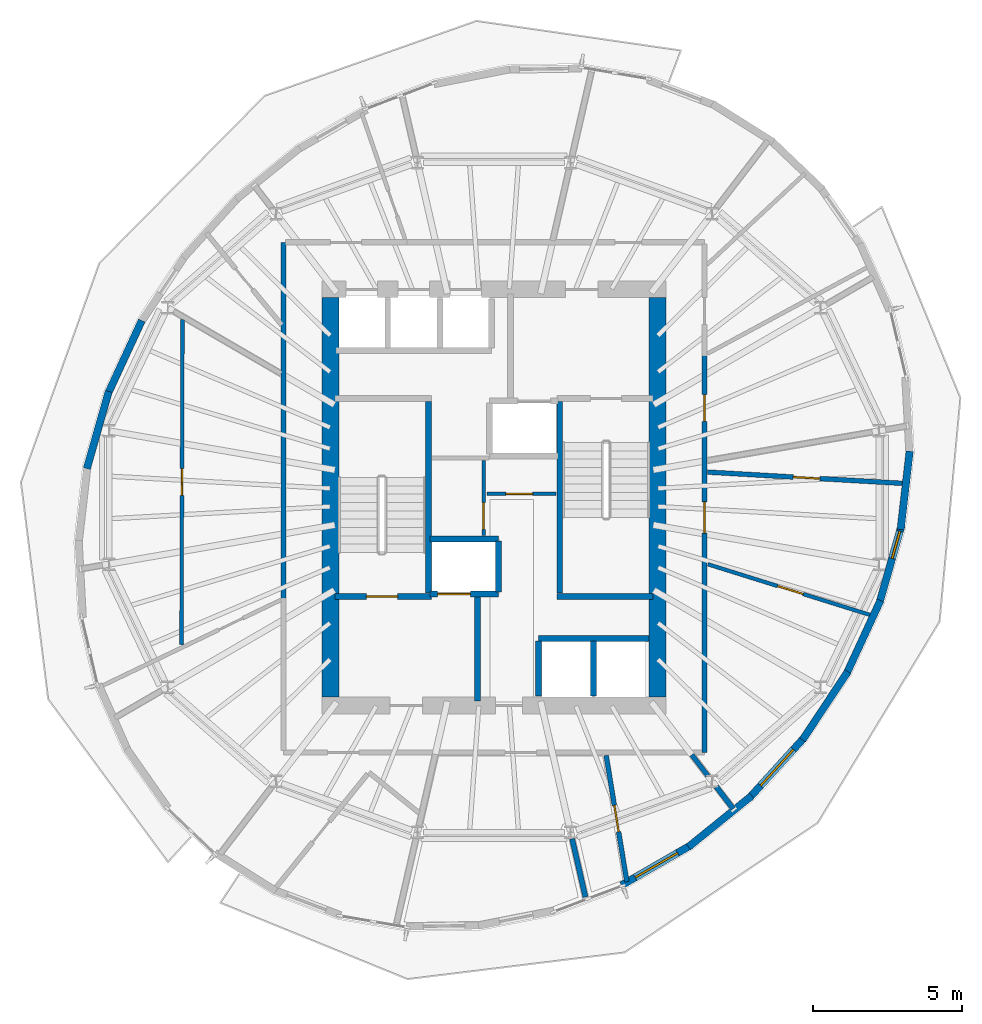
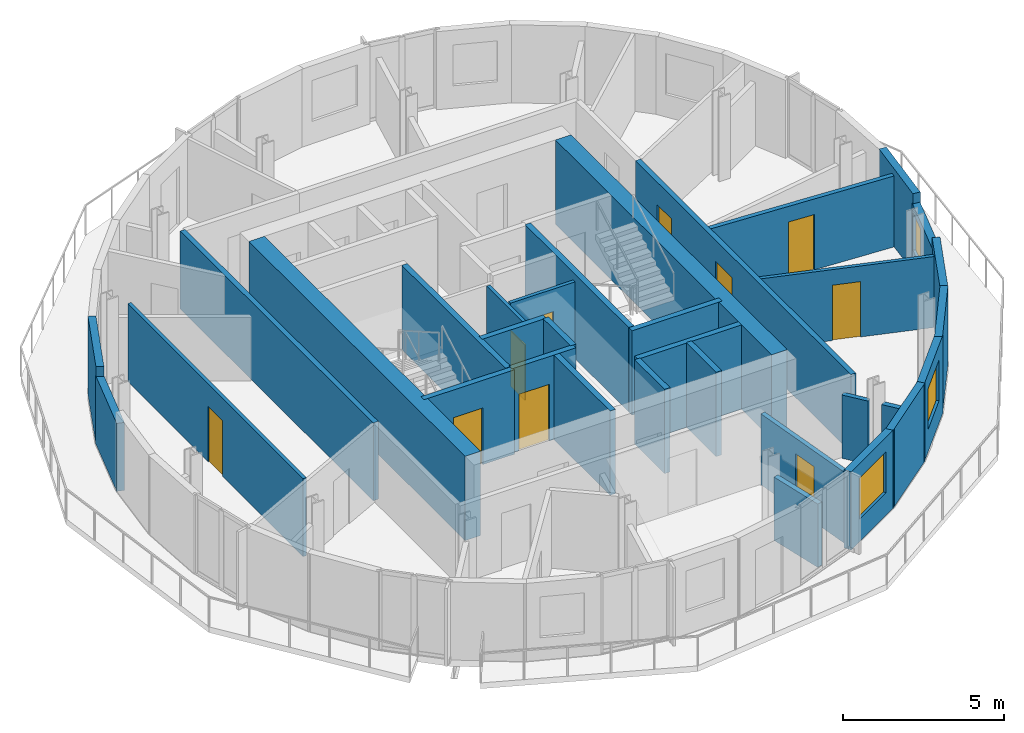
# One storey, part 5 of 11: 33 walls, 10 doors, 3 windows, 13 openings.
"""IFC4 building model written with IfcOpenShell, lengths in metres."""

from ifc_helpers import new_model, si_unit, direction, frame, frame_2d, origin, place, context, subcontext, project, spatial, rectangle, extrude, material, layer, layer_set, type_object, element, fill, save


model = new_model("IFC4")

# Units and contexts
model_context = context("Model", 3, precision=1e-05, world=origin(), true_north=direction((0.0, 1.0)))
body_context = subcontext(model_context, "Body", "Model", "MODEL_VIEW")
ifc_project = project(units=[si_unit("LENGTHUNIT", "METRE"), si_unit("AREAUNIT", "SQUARE_METRE"), si_unit("VOLUMEUNIT", "CUBIC_METRE"), si_unit("PLANEANGLEUNIT", "RADIAN"), si_unit("MASSUNIT", "GRAM", prefix="KILO")], contexts=[model_context])

# Site, building, storey
site_placement = place(None, origin())
site = spatial("IfcSite", under=ifc_project, at=site_placement, CompositionType="ELEMENT")
building_placement = place(site_placement, origin())
building = spatial("IfcBuilding", under=site, at=building_placement, Name="Veldorim Arch Residences", CompositionType="ELEMENT")
storey_placement = place(building_placement, frame((0.0, 0.0, 207.840087890625)))
storey = spatial("IfcBuildingStorey", under=building, at=storey_placement, Name="L62", CompositionType="ELEMENT", Elevation=207.840087890625)

# Wall, opening, door
ifc_material_1 = material(Name="Acoustic Gypsum Board", Category="gypsum")
ifc_layer_1 = layer(ifc_material_1, 0.125, Name="Acoustic Stud Room Partition Wall 125")
ifc_layer_set_1 = layer_set([ifc_layer_1], Name="Acoustic Gypsum Board")
wall_type_1 = type_object("IfcWallType", Name="Acoustic Stud Room Partition Wall 125", PredefinedType="PARTITIONING", material=ifc_layer_set_1)
wall_1_placement = place(storey_placement, frame((31.64990234375, 22.719970703125, 0.0), z_axis=(0.0, 0.0, 1.0), x_axis=(0.0, 1.0, 0.0)))
wall_1 = element("IfcWall", 1, at=wall_1_placement, inside=storey, type_object=wall_type_1, Name="L62 interior wall WL-CA-L62-1", PredefinedType="PARTITIONING", context=body_context, shape_type="SweptSolid", body=[
    extrude(rectangle(XDim=2.52001953125, YDim=0.125, at=frame_2d((1.260009765625, 0.0))), origin(), (0.0, 0.0, 1.0), 2.954833984375),
])
opening_1_placement = place(wall_1_placement, frame((0.2099609375, 0.0, 0.0)))
opening_1 = element("IfcOpeningElement", 2, at=opening_1_placement, cuts=wall_1, Name="Opening DR-SVC", PredefinedType="OPENING", context=body_context, shape_type="SweptSolid", body=[
    extrude(rectangle(XDim=0.89990234375, YDim=2.10009765625, at=frame_2d((0.449951171875, 1.050048828125))), frame((0.0, 0.072509765625, 0.0), z_axis=(0.0, -1.0, 0.0), x_axis=(1.0, 0.0, 0.0)), (0.0, 0.0, 1.0), 0.14501953125),
])
ifc_material_2 = material(Name="Fire-Rated Steel", Category="steel")
door_type_1 = type_object("IfcDoorType", Name="Riser, Shelter & Plant Room Rated Steel Door 900x2100", OperationType="SINGLE_SWING_LEFT", PredefinedType="DOOR", material=ifc_material_2)
door_1_placement = place(opening_1_placement, origin())
door_1 = element("IfcDoor", 3, at=door_1_placement, inside=storey, type_object=door_type_1, Name="L62 interior door DR-L62-CA1", OperationType="SINGLE_SWING_LEFT", OverallHeight=2.10009765625, OverallWidth=0.89990234375, PredefinedType="DOOR", context=body_context, shape_type="SweptSolid", body=[
    extrude(rectangle(XDim=0.89990234375, YDim=2.10009765625, at=frame_2d((0.449951171875, 1.050048828125))), frame((0.0, 0.02490234375, 0.0), z_axis=(0.0, -1.0, 0.0), x_axis=(1.0, 0.0, 0.0)), (0.0, 0.0, 1.0), 0.050048828125),
])
fill(opening_1, door_1)

wall_2_placement = place(storey_placement, frame((31.760009765625, 24.1201171875, 0.0), z_axis=(0.0, 0.0, 1.0), x_axis=(1.0, 0.0, 0.0)))
wall_2 = element("IfcWall", 4, at=wall_2_placement, inside=storey, type_object=wall_type_1, Name="L62 interior wall WL-CA-L62-2", PredefinedType="PARTITIONING", context=body_context, shape_type="SweptSolid", body=[
    extrude(rectangle(XDim=2.320068359375, YDim=0.125, at=frame_2d((1.16015625, 0.0))), origin(), (0.0, 0.0, 1.0), 2.954833984375),
])
opening_2_placement = place(wall_2_placement, frame((0.639892578125, 0.0, 0.0)))
opening_2 = element("IfcOpeningElement", 5, at=opening_2_placement, cuts=wall_2, Name="Opening DR-SVC", PredefinedType="OPENING", context=body_context, shape_type="SweptSolid", body=[
    extrude(rectangle(XDim=0.89990234375, YDim=2.10009765625, at=frame_2d((0.449951171875, 1.050048828125))), frame((0.0, 0.072509765625, 0.0), z_axis=(0.0, -1.0, 0.0), x_axis=(1.0, 0.0, 0.0)), (0.0, 0.0, 1.0), 0.14501953125),
])
door_2_placement = place(opening_2_placement, origin())
door_2 = element("IfcDoor", 6, at=door_2_placement, inside=storey, type_object=door_type_1, Name="L62 interior door DR-L62-CA2", OperationType="SINGLE_SWING_RIGHT", OverallHeight=2.10009765625, OverallWidth=0.89990234375, PredefinedType="DOOR", context=body_context, shape_type="SweptSolid", body=[
    extrude(rectangle(XDim=0.89990234375, YDim=2.10009765625, at=frame_2d((0.449951171875, 1.050048828125))), frame((0.0, 0.02490234375, 0.0), z_axis=(0.0, -1.0, 0.0), x_axis=(1.0, 0.0, 0.0)), (0.0, 0.0, 1.0), 0.050048828125),
])
fill(opening_2, door_2)

wall_3_placement = place(storey_placement, frame((44.744384765625, 20.018310546875, 0.0), z_axis=(0.0, 0.0, 1.0), x_axis=(-0.954500895626, 0.298208048598, 0.0)))
wall_3 = element("IfcWall", 7, at=wall_3_placement, inside=storey, type_object=wall_type_1, Name="L62 interior wall WL-RES-L62-012", PredefinedType="PARTITIONING", context=body_context, shape_type="SweptSolid", body=[
    extrude(rectangle(XDim=5.814453125, YDim=0.125, at=frame_2d((2.9072265625, 0.0))), origin(), (0.0, 0.0, 1.0), 2.69189453125),
])
opening_3_placement = place(wall_3_placement, frame((2.457275390625, 0.0, 0.0)))
opening_3 = element("IfcOpeningElement", 8, at=opening_3_placement, cuts=wall_3, Name="Opening DR-INT", PredefinedType="OPENING", context=body_context, shape_type="SweptSolid", body=[
    extrude(rectangle(XDim=0.89990234375, YDim=2.10009765625, at=frame_2d((0.449951171875, 1.050048828125))), frame((0.0, 0.072509765625, 0.0), z_axis=(0.0, -1.0, 0.0), x_axis=(1.0, 0.0, 0.0)), (0.0, 0.0, 1.0), 0.14501953125),
])
ifc_material_3 = material(Name="Engineered Timber", Category="wood")
door_type_2 = type_object("IfcDoorType", Name="Apartment Internal Room Timber Door 900x2100", OperationType="SINGLE_SWING_LEFT", PredefinedType="DOOR", material=ifc_material_3)
door_3_placement = place(opening_3_placement, origin())
door_3 = element("IfcDoor", 9, at=door_3_placement, inside=storey, type_object=door_type_2, Name="L62 interior door DR-RES-L62-005", OperationType="SINGLE_SWING_LEFT", OverallHeight=2.10009765625, OverallWidth=0.89990234375, PredefinedType="DOOR", context=body_context, shape_type="SweptSolid", body=[
    extrude(rectangle(XDim=0.89990234375, YDim=2.10009765625, at=frame_2d((0.449951171875, 1.050048828125))), frame((0.0, 0.02490234375, 0.0), z_axis=(0.0, -1.0, 0.0), x_axis=(1.0, 0.0, 0.0)), (0.0, 0.0, 1.0), 0.050048828125),
])
fill(opening_3, door_3)

wall_4_placement = place(storey_placement, frame((21.487060546875, 19.04541015625, 0.0), z_axis=(0.0, 0.0, 1.0), x_axis=(0.003056179539, 0.999995329872, 0.0)))
wall_4 = element("IfcWall", 10, at=wall_4_placement, inside=storey, type_object=wall_type_1, Name="L62 interior wall WL-RES-L62-023", PredefinedType="PARTITIONING", context=body_context, shape_type="SweptSolid", body=[
    extrude(rectangle(XDim=10.944091796875, YDim=0.125, at=frame_2d((5.47216796875, 0.0))), origin(), (0.0, 0.0, 1.0), 2.954833984375),
])
opening_4_placement = place(wall_4_placement, frame((5.02197265625, 0.0, 0.0)))
opening_4 = element("IfcOpeningElement", 11, at=opening_4_placement, cuts=wall_4, Name="Opening DR-INT", PredefinedType="OPENING", context=body_context, shape_type="SweptSolid", body=[
    extrude(rectangle(XDim=0.89990234375, YDim=2.10009765625, at=frame_2d((0.449951171875, 1.050048828125))), frame((0.0, 0.072509765625, 0.0), z_axis=(0.0, -1.0, 0.0), x_axis=(1.0, 0.0, 0.0)), (0.0, 0.0, 1.0), 0.14501953125),
])
door_4_placement = place(opening_4_placement, origin())
door_4 = element("IfcDoor", 12, at=door_4_placement, inside=storey, type_object=door_type_2, Name="L62 interior door DR-RES-L62-015", OperationType="SINGLE_SWING_LEFT", OverallHeight=2.10009765625, OverallWidth=0.89990234375, PredefinedType="DOOR", context=body_context, shape_type="SweptSolid", body=[
    extrude(rectangle(XDim=0.89990234375, YDim=2.10009765625, at=frame_2d((0.449951171875, 1.050048828125))), frame((0.0, 0.02490234375, 0.0), z_axis=(0.0, -1.0, 0.0), x_axis=(1.0, 0.0, 0.0)), (0.0, 0.0, 1.0), 0.050048828125),
])
fill(opening_4, door_4)

# Walls
ifc_material_4 = material(Name="Lightweight Masonry Block & Gypsum", Category="masonry")
ifc_layer_2 = layer(ifc_material_4, 0.179931640625, Name="Compartment & Corridor Fire-Rated Party Wall 180")
ifc_layer_set_2 = layer_set([ifc_layer_2], Name="Lightweight Masonry Block & Gypsum")
wall_type_2 = type_object("IfcWallType", Name="Compartment & Corridor Fire-Rated Party Wall 180", PredefinedType="PARTITIONING", material=ifc_layer_set_2)
wall_5_placement = place(storey_placement, frame((34.62646484375, 12.516845703125, 0.0), z_axis=(0.0, 0.0, 1.0), x_axis=(0.222930532859, -0.974834333371, 0.0)))
element("IfcWall", 13, at=wall_5_placement, inside=storey, type_object=wall_type_2, Name="L62 interior wall WL-PIER-L62-13", PredefinedType="PARTITIONING", context=body_context, shape_type="SweptSolid", body=[
    extrude(rectangle(XDim=2.00634765625, YDim=0.179931640625, at=frame_2d((1.003173828125, 0.0))), origin(), (0.0, 0.0, 1.0), 2.4033203125),
])
wall_6_placement = place(storey_placement, frame((39.473388671875, 14.272705078125, 0.0), z_axis=(0.0, 0.0, 1.0), x_axis=(0.609219316709, -0.793001780672, 0.0)))
element("IfcWall", 14, at=wall_6_placement, inside=storey, type_object=wall_type_2, Name="L62 interior wall WL-PIER-L62-14", PredefinedType="PARTITIONING", context=body_context, shape_type="SweptSolid", body=[
    extrude(rectangle(XDim=0.9365234375, YDim=0.179931640625, at=frame_2d((0.46826171875, 0.0))), origin(), (0.0, 0.0, 1.0), 2.4033203125),
])

# Wall, openings, doors
wall_7_placement = place(storey_placement, frame((39.080078125, 28.807861328125, 0.0), z_axis=(0.0, 0.0, 1.0), x_axis=(0.0, -1.0, 0.0)))
wall_7 = element("IfcWall", 15, at=wall_7_placement, inside=storey, type_object=wall_type_2, Name="L62 interior wall WL-RES-L62-002", PredefinedType="PARTITIONING", context=body_context, shape_type="SweptSolid", body=[
    extrude(rectangle(XDim=13.387939453125, YDim=0.179931640625, at=frame_2d((6.69384765625, 0.0))), origin(), (0.0, 0.0, 1.0), 2.954833984375),
])
opening_5_placement = place(wall_7_placement, frame((4.9599609375, 0.0, 0.0)))
opening_5 = element("IfcOpeningElement", 16, at=opening_5_placement, cuts=wall_7, Name="Opening DR-FLT", PredefinedType="OPENING", context=body_context, shape_type="SweptSolid", body=[
    extrude(rectangle(XDim=1.050048828125, YDim=2.14990234375, at=frame_2d((0.52490234375, 1.074951171875))), frame((0.0, 0.099853515625, 0.0), z_axis=(0.0, -1.0, 0.0), x_axis=(1.0, 0.0, 0.0)), (0.0, 0.0, 1.0), 0.199951171875),
])
opening_6_placement = place(wall_7_placement, frame((1.3515625, 0.0, 0.0)))
opening_6 = element("IfcOpeningElement", 17, at=opening_6_placement, cuts=wall_7, Name="Opening DR-SVC", PredefinedType="OPENING", context=body_context, shape_type="SweptSolid", body=[
    extrude(rectangle(XDim=0.89990234375, YDim=2.10009765625, at=frame_2d((0.449951171875, 1.050048828125))), frame((0.0, 0.099853515625, 0.0), z_axis=(0.0, -1.0, 0.0), x_axis=(1.0, 0.0, 0.0)), (0.0, 0.0, 1.0), 0.199951171875),
])
ifc_material_5 = material(Name="Fire-Rated Timber", Category="wood")
door_type_3 = type_object("IfcDoorType", Name="Apartment Entrance Solid-Core Fire Door 1050x2150", OperationType="SINGLE_SWING_LEFT", PredefinedType="DOOR", material=ifc_material_5)
door_5_placement = place(opening_5_placement, origin())
door_5 = element("IfcDoor", 18, at=door_5_placement, inside=storey, type_object=door_type_3, Name="L62 interior door DR-RES-L62-003", OperationType="SINGLE_SWING_LEFT", OverallHeight=2.14990234375, OverallWidth=1.050048828125, PredefinedType="DOOR", context=body_context, shape_type="SweptSolid", body=[
    extrude(rectangle(XDim=1.050048828125, YDim=2.14990234375, at=frame_2d((0.52490234375, 1.074951171875))), frame((0.0, 0.02490234375, 0.0), z_axis=(0.0, -1.0, 0.0), x_axis=(1.0, 0.0, 0.0)), (0.0, 0.0, 1.0), 0.050048828125),
])
fill(opening_5, door_5)
door_6_placement = place(opening_6_placement, origin())
door_6 = element("IfcDoor", 19, at=door_6_placement, inside=storey, type_object=door_type_1, Name="L62 interior door DR-RES-L62-008", OperationType="SINGLE_SWING_RIGHT", OverallHeight=2.10009765625, OverallWidth=0.89990234375, PredefinedType="DOOR", context=body_context, shape_type="SweptSolid", body=[
    extrude(rectangle(XDim=0.89990234375, YDim=2.10009765625, at=frame_2d((0.449951171875, 1.050048828125))), frame((0.0, 0.02490234375, 0.0), z_axis=(0.0, -1.0, 0.0), x_axis=(1.0, 0.0, 0.0)), (0.0, 0.0, 1.0), 0.050048828125),
])
fill(opening_6, door_6)

# Walls
wall_8_placement = place(storey_placement, frame((24.919921875, 20.573974609375, 0.0), z_axis=(0.0, 0.0, 1.0), x_axis=(0.0, 1.0, 0.0)))
element("IfcWall", 20, at=wall_8_placement, inside=storey, type_object=wall_type_2, Name="L62 interior wall WL-RES-L62-005", PredefinedType="PARTITIONING", context=body_context, shape_type="SweptSolid", body=[
    extrude(rectangle(XDim=12.006103515625, YDim=0.179931640625, at=frame_2d((6.0029296875, 0.0))), origin(), (0.0, 0.0, 1.0), 2.954833984375),
])
ifc_material_6 = material(Name="Concrete C50/60", Category="concrete")
ifc_layer_3 = layer(ifc_material_6, 0.199951171875, Name="Core Stair & Lift Shaft Enclosure Wall 200")
ifc_layer_set_3 = layer_set([ifc_layer_3], Name="Concrete C50/60")
wall_type_3 = type_object("IfcWallType", Name="Core Stair & Lift Shaft Enclosure Wall 200", PredefinedType="SHEAR", material=ifc_layer_set_3)
wall_9_placement = place(storey_placement, frame((29.7900390625, 20.780029296875, 0.0), z_axis=(0.0, 0.0, 1.0), x_axis=(0.0, 1.0, 0.0)))
element("IfcWall", 21, at=wall_9_placement, inside=storey, type_object=wall_type_3, Name="L62 shaft wall WL-SHF-L62-ST1-E", PredefinedType="SHEAR", context=body_context, shape_type="SweptSolid", body=[
    extrude(rectangle(XDim=6.43994140625, YDim=0.199951171875, at=frame_2d((3.219970703125, 0.0))), origin(), (0.0, 0.0, 1.0), 3.199951171875),
])

# Wall, opening, door
wall_10_placement = place(storey_placement, frame((26.64990234375, 20.669921875, 0.0), z_axis=(0.0, 0.0, 1.0), x_axis=(1.0, 0.0, 0.0)))
wall_10 = element("IfcWall", 22, at=wall_10_placement, inside=storey, type_object=wall_type_3, Name="L62 shaft wall WL-SHF-L62-ST1-S", PredefinedType="SHEAR", context=body_context, shape_type="SweptSolid", body=[
    extrude(rectangle(XDim=3.239990234375, YDim=0.199951171875, at=frame_2d((1.6201171875, 0.0))), origin(), (0.0, 0.0, 1.0), 3.199951171875),
])
opening_7_placement = place(wall_10_placement, frame((1.054931640625, 0.0, 0.0)))
opening_7 = element("IfcOpeningElement", 23, at=opening_7_placement, cuts=wall_10, Name="Opening DR-ST", PredefinedType="OPENING", context=body_context, shape_type="SweptSolid", body=[
    extrude(rectangle(XDim=1.050048828125, YDim=2.14990234375, at=frame_2d((0.52490234375, 1.074951171875))), frame((0.0, 0.10986328125, 0.0), z_axis=(0.0, -1.0, 0.0), x_axis=(1.0, 0.0, 0.0)), (0.0, 0.0, 1.0), 0.219970703125),
])
ifc_material_7 = material(Name="Fire-Rated Steel", Category="steel")
door_type_4 = type_object("IfcDoorType", Name="Exit Staircase Self-Closing Fire Door 1050x2150", OperationType="SINGLE_SWING_LEFT", PredefinedType="DOOR", material=ifc_material_7)
door_7_placement = place(opening_7_placement, origin())
door_7 = element("IfcDoor", 24, at=door_7_placement, inside=storey, type_object=door_type_4, Name="L62 interior door DR-L62-ST1", OperationType="SINGLE_SWING_LEFT", OverallHeight=2.14990234375, OverallWidth=1.050048828125, PredefinedType="DOOR", context=body_context, shape_type="SweptSolid", body=[
    extrude(rectangle(XDim=1.050048828125, YDim=2.14990234375, at=frame_2d((0.52490234375, 1.074951171875))), frame((0.0, 0.02490234375, 0.0), z_axis=(0.0, -1.0, 0.0), x_axis=(1.0, 0.0, 0.0)), (0.0, 0.0, 1.0), 0.050048828125),
])
fill(opening_7, door_7)

# Walls
wall_11_placement = place(storey_placement, frame((34.2099609375, 20.780029296875, 0.0), z_axis=(0.0, 0.0, 1.0), x_axis=(0.0, 1.0, 0.0)))
element("IfcWall", 25, at=wall_11_placement, inside=storey, type_object=wall_type_3, Name="L62 shaft wall WL-SHF-L62-ST2-W", PredefinedType="SHEAR", context=body_context, shape_type="SweptSolid", body=[
    extrude(rectangle(XDim=6.43994140625, YDim=0.199951171875, at=frame_2d((3.219970703125, 0.0))), origin(), (0.0, 0.0, 1.0), 3.199951171875),
])
wall_12_placement = place(storey_placement, frame((34.110107421875, 20.669921875, 0.0), z_axis=(0.0, 0.0, 1.0), x_axis=(1.0, 0.0, 0.0)))
element("IfcWall", 26, at=wall_12_placement, inside=storey, type_object=wall_type_3, Name="L62 shaft wall WL-SHF-L62-ST2-S", PredefinedType="SHEAR", context=body_context, shape_type="SweptSolid", body=[
    extrude(rectangle(XDim=3.239990234375, YDim=0.199951171875, at=frame_2d((1.6201171875, 0.0))), origin(), (0.0, 0.0, 1.0), 3.199951171875),
])
wall_13_placement = place(storey_placement, frame((31.449951171875, 17.14990234375, 0.0), z_axis=(0.0, 0.0, 1.0), x_axis=(0.0, 1.0, 0.0)))
element("IfcWall", 27, at=wall_13_placement, inside=storey, type_object=wall_type_3, Name="L62 shaft wall WL-FFL1-L62-E", PredefinedType="SHEAR", context=body_context, shape_type="SweptSolid", body=[
    extrude(rectangle(XDim=3.5, YDim=0.199951171875, at=frame_2d((1.75, 0.0))), origin(), (0.0, 0.0, 1.0), 3.199951171875),
])

# Wall, opening, door
wall_14_placement = place(storey_placement, frame((29.85009765625, 20.75, 0.0), z_axis=(0.0, 0.0, 1.0), x_axis=(1.0, 0.0, 0.0)))
wall_14 = element("IfcWall", 28, at=wall_14_placement, inside=storey, type_object=wall_type_3, Name="L62 shaft wall WL-FL01-L62-S", PredefinedType="SHEAR", context=body_context, shape_type="SweptSolid", body=[
    extrude(rectangle(XDim=2.2998046875, YDim=0.199951171875, at=frame_2d((1.14990234375, 0.0))), origin(), (0.0, 0.0, 1.0), 3.199951171875),
])
opening_8_placement = place(wall_14_placement, frame((0.25, 0.0, 0.0)))
opening_8 = element("IfcOpeningElement", 29, at=opening_8_placement, cuts=wall_14, Name="Opening LD-FF", PredefinedType="OPENING", context=body_context, shape_type="SweptSolid", body=[
    extrude(rectangle(XDim=1.10009765625, YDim=2.14990234375, at=frame_2d((0.550048828125, 1.074951171875))), frame((0.0, 0.10986328125, 0.0), z_axis=(0.0, -1.0, 0.0), x_axis=(1.0, 0.0, 0.0)), (0.0, 0.0, 1.0), 0.219970703125),
])
ifc_material_8 = material(Name="Stainless Steel", Category="steel")
door_type_5 = type_object("IfcDoorType", Name="Firefighting Lift Bi-Parting Sliding Landing Door 1100x2150", OperationType="DOUBLE_DOOR_SLIDING", PredefinedType="DOOR", material=ifc_material_8)
door_8_placement = place(opening_8_placement, origin())
door_8 = element("IfcDoor", 30, at=door_8_placement, inside=storey, type_object=door_type_5, Name="L62 lift landing door LD-L62-FL01", OperationType="DOUBLE_DOOR_SLIDING", OverallHeight=2.14990234375, OverallWidth=1.10009765625, PredefinedType="DOOR", context=body_context, shape_type="SweptSolid", body=[
    extrude(rectangle(XDim=1.10009765625, YDim=2.14990234375, at=frame_2d((0.550048828125, 1.074951171875))), frame((0.0, 0.02490234375, 0.0), z_axis=(0.0, -1.0, 0.0), x_axis=(1.0, 0.0, 0.0)), (0.0, 0.0, 1.0), 0.050048828125),
])
fill(opening_8, door_8)

# Walls
wall_15_placement = place(storey_placement, frame((29.85009765625, 22.60009765625, 0.0), z_axis=(0.0, 0.0, 1.0), x_axis=(1.0, 0.0, 0.0)))
element("IfcWall", 31, at=wall_15_placement, inside=storey, type_object=wall_type_3, Name="L62 shaft wall WL-FL01-L62-N", PredefinedType="SHEAR", context=body_context, shape_type="SweptSolid", body=[
    extrude(rectangle(XDim=2.2998046875, YDim=0.199951171875, at=frame_2d((1.14990234375, 0.0))), origin(), (0.0, 0.0, 1.0), 3.199951171875),
])
wall_16_placement = place(storey_placement, frame((32.14990234375, 20.820068359375, 0.0), z_axis=(0.0, 0.0, 1.0), x_axis=(0.0, 1.0, 0.0)))
element("IfcWall", 32, at=wall_16_placement, inside=storey, type_object=wall_type_3, Name="L62 shaft wall WL-FL01-L62-E", PredefinedType="SHEAR", context=body_context, shape_type="SweptSolid", body=[
    extrude(rectangle(XDim=1.7099609375, YDim=0.199951171875, at=frame_2d((0.85498046875, 0.0))), origin(), (0.0, 0.0, 1.0), 3.199951171875),
])
wall_17_placement = place(storey_placement, frame((33.5, 19.25, 0.0), z_axis=(0.0, 0.0, 1.0), x_axis=(1.0, 0.0, 0.0)))
element("IfcWall", 33, at=wall_17_placement, inside=storey, type_object=wall_type_3, Name="L62 shaft wall WL-OL-L62-N", PredefinedType="SHEAR", context=body_context, shape_type="SweptSolid", body=[
    extrude(rectangle(XDim=3.719970703125, YDim=0.199951171875, at=frame_2d((1.85986328125, 0.0))), origin(), (0.0, 0.0, 1.0), 3.199951171875),
])
for number, where, z_axis, x_axis, name in (
    (34, (33.5, 17.320068359375, 0.0), (0.0, 0.0, 1.0), (0.0, 1.0, 0.0), "L62 shaft wall WL-OL-L62-W"),
    (35, (35.35009765625, 17.320068359375, 0.0), (0.0, 0.0, 1.0), (0.0, 1.0, 0.0), "L62 shaft wall WL-OL-L62-D1"),
):
    element("IfcWall", number, at=place(storey_placement, frame(where, z_axis=z_axis, x_axis=x_axis)), inside=storey, type_object=wall_type_3, Name=name, PredefinedType="SHEAR", context=body_context, shape_type="SweptSolid", body=[
        extrude(rectangle(XDim=1.85986328125, YDim=0.199951171875, at=frame_2d((0.929931640625, 0.0))), origin(), (0.0, 0.0, 1.0), 3.199951171875),
    ])
ifc_material_9 = material(Name="Precast concrete C40/50", Category="concrete")
ifc_layer_4 = layer(ifc_material_9, 0.25, Name="Tower Terracotta Spandrel & Pier Wall 250")
ifc_layer_set_4 = layer_set([ifc_layer_4], Name="Precast concrete C40/50")
wall_type_4 = type_object("IfcWallType", Name="Tower Terracotta Spandrel & Pier Wall 250", PredefinedType="SOLIDWALL", material=ifc_layer_set_4)
wall_18_placement = place(storey_placement, frame((19.00048828125, 27.465576171875, 0.0), z_axis=(0.0, 0.0, 1.0), x_axis=(0.419544316157, 0.907734854889, 0.0)))
element("IfcWall", 36, at=wall_18_placement, inside=storey, type_object=wall_type_4, Name="L62 terracotta facade wall 11", PredefinedType="SOLIDWALL", context=body_context, shape_type="SweptSolid", body=[
    extrude(rectangle(XDim=2.738525390625, YDim=0.25, at=frame_2d((1.369140625, 0.0))), origin(), (0.0, 0.0, 1.0), 2.9599609375),
])
wall_19_placement = place(storey_placement, frame((18.300537109375, 24.968994140625, 0.0), z_axis=(0.0, 0.0, 1.0), x_axis=(0.273097490466, 0.961986362014, 0.0)))
element("IfcWall", 37, at=wall_19_placement, inside=storey, type_object=wall_type_4, Name="L62 terracotta facade wall 12", PredefinedType="SOLIDWALL", context=body_context, shape_type="SweptSolid", body=[
    extrude(rectangle(XDim=2.70166015625, YDim=0.25, at=frame_2d((1.350830078125, 0.0))), origin(), (0.0, 0.0, 1.0), 2.576904296875),
])

# Wall, opening, window
wall_20_placement = place(storey_placement, frame((38.63037109375, 12.304931640625, 0.0), z_axis=(0.0, 0.0, 1.0), x_axis=(-0.865914653104, -0.500191776762, 0.0)))
wall_20 = element("IfcWall", 38, at=wall_20_placement, inside=storey, type_object=wall_type_4, Name="L62 terracotta facade wall 25", PredefinedType="SOLIDWALL", context=body_context, shape_type="SweptSolid", body=[
    extrude(rectangle(XDim=2.70166015625, YDim=0.25, at=frame_2d((1.350830078125, 0.0))), origin(), (0.0, 0.0, 1.0), 2.9599609375),
])
opening_9_placement = place(wall_20_placement, frame((0.52587890625, 0.0, 0.85009765625)))
opening_9 = element("IfcOpeningElement", 39, at=opening_9_placement, cuts=wall_20, Name="Opening WN-03", PredefinedType="OPENING", context=body_context, shape_type="SweptSolid", body=[
    extrude(rectangle(XDim=1.64990234375, YDim=1.550048828125, at=frame_2d((0.824951171875, 0.77490234375))), frame((0.0, 0.135009765625, 0.0), z_axis=(0.0, -1.0, 0.0), x_axis=(1.0, 0.0, 0.0)), (0.0, 0.0, 1.0), 0.27001953125),
])
ifc_material_10 = material(Name="Laminated Low-E Glass", Category="glass")
window_type_1 = type_object("IfcWindowType", Name="Residential Wide Window 1650x1550", PartitioningType="SINGLE_PANEL", PredefinedType="WINDOW", material=ifc_material_10)
window_1_placement = place(opening_9_placement, origin())
window_1 = element("IfcWindow", 40, at=window_1_placement, inside=storey, type_object=window_type_1, Name="L62 solar-control facade window 25", OverallHeight=1.550048828125, OverallWidth=1.64990234375, PartitioningType="SINGLE_PANEL", PredefinedType="WINDOW", context=body_context, shape_type="SweptSolid", body=[
    extrude(rectangle(XDim=1.64990234375, YDim=1.550048828125, at=frame_2d((0.824951171875, 0.77490234375))), frame((0.0, 0.030029296875, 0.0), z_axis=(0.0, -1.0, 0.0), x_axis=(1.0, 0.0, 0.0)), (0.0, 0.0, 1.0), 0.06005859375),
])
fill(opening_9, window_1)

# Wall
wall_21_placement = place(storey_placement, frame((40.669677734375, 13.96533203125, 0.0), z_axis=(0.0, 0.0, 1.0), x_axis=(-0.777535429671, -0.628839133329, 0.0)))
element("IfcWall", 41, at=wall_21_placement, inside=storey, type_object=wall_type_4, Name="L62 terracotta facade wall 26", PredefinedType="SOLIDWALL", context=body_context, shape_type="SweptSolid", body=[
    extrude(rectangle(XDim=2.738525390625, YDim=0.25, at=frame_2d((1.369140625, 0.0))), origin(), (0.0, 0.0, 1.0), 2.9599609375),
])

# Wall, opening, window
wall_22_placement = place(storey_placement, frame((42.445556640625, 15.931396484375, 0.0), z_axis=(0.0, 0.0, 1.0), x_axis=(-0.672668387979, -0.739944078842, 0.0)))
wall_22 = element("IfcWall", 42, at=wall_22_placement, inside=storey, type_object=wall_type_4, Name="L62 terracotta facade wall 27", PredefinedType="SOLIDWALL", context=body_context, shape_type="SweptSolid", body=[
    extrude(rectangle(XDim=2.758056640625, YDim=0.25, at=frame_2d((1.37890625, 0.0))), origin(), (0.0, 0.0, 1.0), 2.9599609375),
])
opening_10_placement = place(wall_22_placement, frame((0.553955078125, 0.0, 0.85009765625)))
opening_10 = element("IfcOpeningElement", 43, at=opening_10_placement, cuts=wall_22, Name="Opening WN-03", PredefinedType="OPENING", context=body_context, shape_type="SweptSolid", body=[
    extrude(rectangle(XDim=1.64990234375, YDim=1.550048828125, at=frame_2d((0.824951171875, 0.77490234375))), frame((0.0, 0.135009765625, 0.0), z_axis=(0.0, -1.0, 0.0), x_axis=(1.0, 0.0, 0.0)), (0.0, 0.0, 1.0), 0.27001953125),
])
window_2_placement = place(opening_10_placement, origin())
window_2 = element("IfcWindow", 44, at=window_2_placement, inside=storey, type_object=window_type_1, Name="L62 solar-control facade window 27", OverallHeight=1.550048828125, OverallWidth=1.64990234375, PartitioningType="SINGLE_PANEL", PredefinedType="WINDOW", context=body_context, shape_type="SweptSolid", body=[
    extrude(rectangle(XDim=1.64990234375, YDim=1.550048828125, at=frame_2d((0.824951171875, 0.77490234375))), frame((0.0, 0.030029296875, 0.0), z_axis=(0.0, -1.0, 0.0), x_axis=(1.0, 0.0, 0.0)), (0.0, 0.0, 1.0), 0.06005859375),
])
fill(opening_10, window_2)

# Walls
wall_23_placement = place(storey_placement, frame((43.90380859375, 18.1435546875, 0.0), z_axis=(0.0, 0.0, 1.0), x_axis=(-0.553003487622, -0.83317893797, 0.0)))
element("IfcWall", 45, at=wall_23_placement, inside=storey, type_object=wall_type_4, Name="L62 terracotta facade wall 28", PredefinedType="SOLIDWALL", context=body_context, shape_type="SweptSolid", body=[
    extrude(rectangle(XDim=2.7578125, YDim=0.25, at=frame_2d((1.37890625, 0.0))), origin(), (0.0, 0.0, 1.0), 2.9599609375),
])
wall_24_placement = place(storey_placement, frame((44.99951171875, 20.534423828125, 0.0), z_axis=(0.0, 0.0, 1.0), x_axis=(-0.419544316157, -0.907734854889, 0.0)))
element("IfcWall", 46, at=wall_24_placement, inside=storey, type_object=wall_type_4, Name="L62 terracotta facade wall 29", PredefinedType="SOLIDWALL", context=body_context, shape_type="SweptSolid", body=[
    extrude(rectangle(XDim=2.738525390625, YDim=0.25, at=frame_2d((1.369140625, 0.0))), origin(), (0.0, 0.0, 1.0), 2.9599609375),
])

# Wall, opening, window
wall_25_placement = place(storey_placement, frame((45.699462890625, 23.031005859375, 0.0), z_axis=(0.0, 0.0, 1.0), x_axis=(-0.273097490466, -0.961986362014, 0.0)))
wall_25 = element("IfcWall", 47, at=wall_25_placement, inside=storey, type_object=wall_type_4, Name="L62 terracotta facade wall 30", PredefinedType="SOLIDWALL", context=body_context, shape_type="SweptSolid", body=[
    extrude(rectangle(XDim=2.70166015625, YDim=0.25, at=frame_2d((1.350830078125, 0.0))), origin(), (0.0, 0.0, 1.0), 2.576904296875),
])
opening_11_placement = place(wall_25_placement, frame((0.175048828125, 0.0, 0.85009765625)))
opening_11 = element("IfcOpeningElement", 48, at=opening_11_placement, cuts=wall_25, Name="Opening WN-05", PredefinedType="OPENING", context=body_context, shape_type="SweptSolid", body=[
    extrude(rectangle(XDim=0.949951171875, YDim=1.449951171875, at=frame_2d((0.47509765625, 0.72509765625))), frame((0.0, 0.135009765625, 0.0), z_axis=(0.0, -1.0, 0.0), x_axis=(1.0, 0.0, 0.0)), (0.0, 0.0, 1.0), 0.27001953125),
])
ifc_material_11 = material(Name="Laminated Low-E Glass", Category="glass")
window_type_2 = type_object("IfcWindowType", Name="Residential Compact Casement Window 950x1450", PartitioningType="SINGLE_PANEL", PredefinedType="WINDOW", material=ifc_material_11)
window_3_placement = place(opening_11_placement, origin())
window_3 = element("IfcWindow", 49, at=window_3_placement, inside=storey, type_object=window_type_2, Name="L62 solar-control facade window 30", OverallHeight=1.449951171875, OverallWidth=0.949951171875, PartitioningType="SINGLE_PANEL", PredefinedType="WINDOW", context=body_context, shape_type="SweptSolid", body=[
    extrude(rectangle(XDim=0.949951171875, YDim=1.449951171875, at=frame_2d((0.47509765625, 0.72509765625))), frame((0.0, 0.030029296875, 0.0), z_axis=(0.0, -1.0, 0.0), x_axis=(1.0, 0.0, 0.0)), (0.0, 0.0, 1.0), 0.06005859375),
])
fill(opening_11, window_3)

# Walls
wall_26_placement = place(storey_placement, frame((45.982421875, 25.556640625, 0.0), z_axis=(0.0, 0.0, 1.0), x_axis=(-0.114746448117, -0.993394812068, 0.0)))
element("IfcWall", 50, at=wall_26_placement, inside=storey, type_object=wall_type_4, Name="L62 terracotta facade wall 31", PredefinedType="SOLIDWALL", context=body_context, shape_type="SweptSolid", body=[
    extrude(rectangle(XDim=2.651123046875, YDim=0.25, at=frame_2d((1.32568359375, 0.0))), origin(), (0.0, 0.0, 1.0), 2.9599609375),
])
ifc_material_12 = material(Name="Concrete C50/60", Category="concrete")
ifc_layer_5 = layer(ifc_material_12, 0.5, Name="Upper Central Core Shear Wall 560")
ifc_layer_set_5 = layer_set([ifc_layer_5], Name="Concrete C50/60")
wall_type_5 = type_object("IfcWallType", Name="Upper Central Core Shear Wall 560", PredefinedType="SHEAR", material=ifc_layer_set_5)
for number, where, z_axis, x_axis, name in (
    (51, (26.5, 17.280029296875, 0.0), (0.0, 0.0, 1.0), (0.0, 1.0, 0.0), "L62 central core west shear wall"),
    (52, (37.5, 17.280029296875, 0.0), (0.0, 0.0, 1.0), (0.0, 1.0, 0.0), "L62 central core east shear wall"),
):
    element("IfcWall", number, at=place(storey_placement, frame(where, z_axis=z_axis, x_axis=x_axis)), inside=storey, type_object=wall_type_5, Name=name, PredefinedType="SHEAR", context=body_context, shape_type="SweptSolid", body=[
        extrude(rectangle(XDim=13.43994140625, YDim=0.56005859375, at=frame_2d((6.719970703125, 0.0))), origin(), (0.0, 0.0, 1.0), 3.199951171875),
    ])

# Wall, opening, door
ifc_material_13 = material(Name="Moisture-Resistant Gypsum & Stud", Category="gypsum")
ifc_layer_6 = layer(ifc_material_13, 0.159912109375, Name="Wet-Area Moisture-Resistant Plumbing Wall 160")
ifc_layer_set_6 = layer_set([ifc_layer_6], Name="Moisture-Resistant Gypsum & Stud")
wall_type_6 = type_object("IfcWallType", Name="Wet-Area Moisture-Resistant Plumbing Wall 160", PredefinedType="PLUMBINGWALL", material=ifc_layer_set_6)
wall_27_placement = place(storey_placement, frame((35.7724609375, 15.3212890625, 0.0), z_axis=(0.0, 0.0, 1.0), x_axis=(0.16134496112, -0.986898071495, 0.0)))
wall_27 = element("IfcWall", 53, at=wall_27_placement, inside=storey, type_object=wall_type_6, Name="L62 interior wall WL-RES-L62-008", PredefinedType="PLUMBINGWALL", context=body_context, shape_type="SweptSolid", body=[
    extrude(rectangle(XDim=4.304931640625, YDim=0.159912109375, at=frame_2d((2.15234375, 0.0))), origin(), (0.0, 0.0, 1.0), 2.69189453125),
])
opening_12_placement = place(wall_27_placement, frame((1.702392578125, 0.0, 0.0)))
opening_12 = element("IfcOpeningElement", 54, at=opening_12_placement, cuts=wall_27, Name="Opening DR-WC", PredefinedType="OPENING", context=body_context, shape_type="SweptSolid", body=[
    extrude(rectangle(XDim=0.89990234375, YDim=2.10009765625, at=frame_2d((0.449951171875, 1.050048828125))), frame((0.0, 0.08984375, 0.0), z_axis=(0.0, -1.0, 0.0), x_axis=(1.0, 0.0, 0.0)), (0.0, 0.0, 1.0), 0.179931640625),
])
ifc_material_14 = material(Name="Laminate Timber", Category="wood")
door_type_6 = type_object("IfcDoorType", Name="Bathroom & Accessible WC Moisture-Sealed Door 900x2100", OperationType="SINGLE_SWING_LEFT", PredefinedType="DOOR", material=ifc_material_14)
door_9_placement = place(opening_12_placement, origin())
door_9 = element("IfcDoor", 55, at=door_9_placement, inside=storey, type_object=door_type_6, Name="L62 interior door DR-RES-L62-002", OperationType="SINGLE_SWING_RIGHT", OverallHeight=2.10009765625, OverallWidth=0.89990234375, PredefinedType="DOOR", context=body_context, shape_type="SweptSolid", body=[
    extrude(rectangle(XDim=0.89990234375, YDim=2.10009765625, at=frame_2d((0.449951171875, 1.050048828125))), frame((0.0, 0.02490234375, 0.0), z_axis=(0.0, -1.0, 0.0), x_axis=(1.0, 0.0, 0.0)), (0.0, 0.0, 1.0), 0.050048828125),
])
fill(opening_12, door_9)

# Wall
wall_28_placement = place(storey_placement, frame((38.65283203125, 15.3408203125, 0.0), z_axis=(0.0, 0.0, 1.0), x_axis=(0.609152657902, -0.793052986484, 0.0)))
element("IfcWall", 56, at=wall_28_placement, inside=storey, type_object=wall_type_6, Name="L62 interior wall WL-RES-L62-010", PredefinedType="PLUMBINGWALL", context=body_context, shape_type="SweptSolid", body=[
    extrude(rectangle(XDim=0.88818359375, YDim=0.159912109375, at=frame_2d((0.444091796875, 0.0))), origin(), (0.0, 0.0, 1.0), 2.4033203125),
])

# Wall, opening, door
wall_29_placement = place(storey_placement, frame((39.1796875, 24.85302734375, 0.0), z_axis=(0.0, 0.0, 1.0), x_axis=(0.998334151316, -0.057696813744, 0.0)))
wall_29 = element("IfcWall", 57, at=wall_29_placement, inside=storey, type_object=wall_type_6, Name="L62 interior wall WL-RES-L62-011", PredefinedType="PLUMBINGWALL", context=body_context, shape_type="SweptSolid", body=[
    extrude(rectangle(XDim=6.673095703125, YDim=0.159912109375, at=frame_2d((3.33642578125, 0.0))), origin(), (0.0, 0.0, 1.0), 2.69189453125),
])
opening_13_placement = place(wall_29_placement, frame((2.886474609375, 0.0, 0.0)))
opening_13 = element("IfcOpeningElement", 58, at=opening_13_placement, cuts=wall_29, Name="Opening DR-WC", PredefinedType="OPENING", context=body_context, shape_type="SweptSolid", body=[
    extrude(rectangle(XDim=0.89990234375, YDim=2.10009765625, at=frame_2d((0.449951171875, 1.050048828125))), frame((0.0, 0.08984375, 0.0), z_axis=(0.0, -1.0, 0.0), x_axis=(1.0, 0.0, 0.0)), (0.0, 0.0, 1.0), 0.179931640625),
])
door_10_placement = place(opening_13_placement, origin())
door_10 = element("IfcDoor", 59, at=door_10_placement, inside=storey, type_object=door_type_6, Name="L62 interior door DR-RES-L62-004", OperationType="SINGLE_SWING_RIGHT", OverallHeight=2.10009765625, OverallWidth=0.89990234375, PredefinedType="DOOR", context=body_context, shape_type="SweptSolid", body=[
    extrude(rectangle(XDim=0.89990234375, YDim=2.10009765625, at=frame_2d((0.449951171875, 1.050048828125))), frame((0.0, 0.02490234375, 0.0), z_axis=(0.0, -1.0, 0.0), x_axis=(1.0, 0.0, 0.0)), (0.0, 0.0, 1.0), 0.050048828125),
])
fill(opening_13, door_10)

save(model, "model.ifc")
